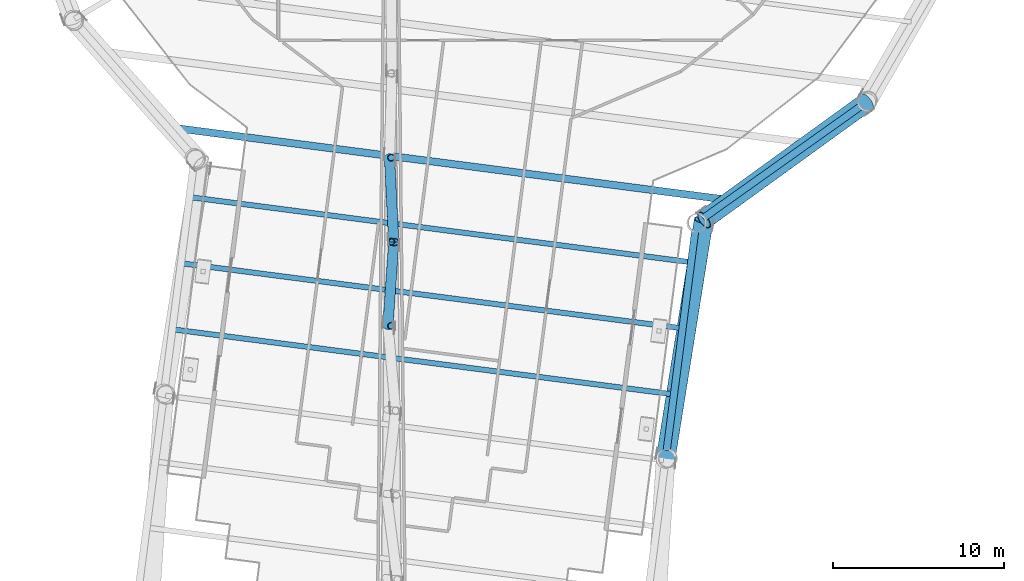
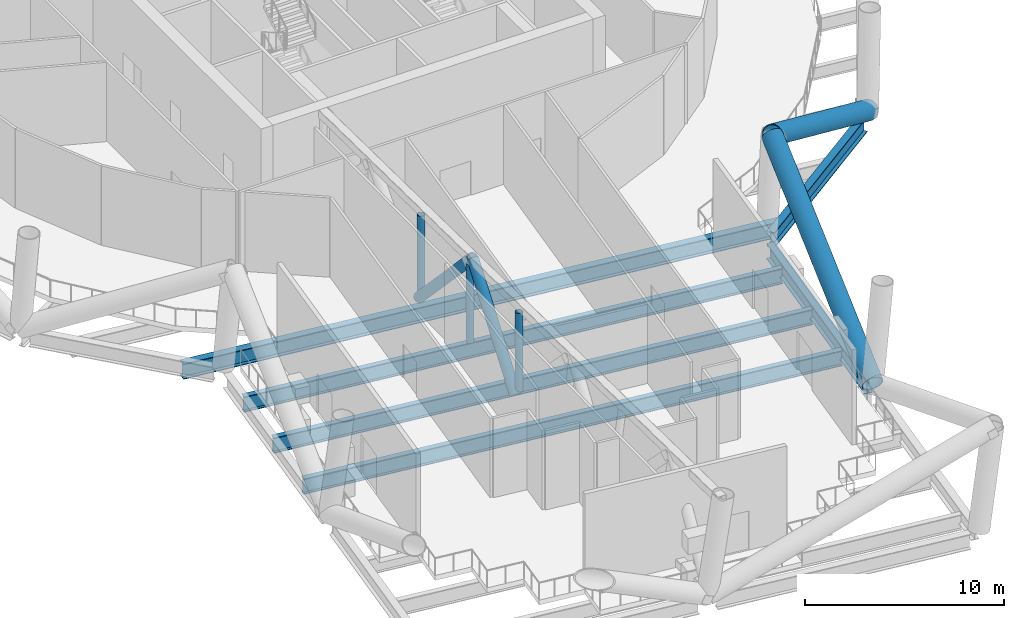
# One storey, part 2 of 36: 7 members, 6 beams.
"""IFC4 building model written with IfcOpenShell, lengths in metres."""

from ifc_helpers import new_model, si_unit, direction, frame, origin, origin_2d, place, context, subcontext, project, spatial, hollow_circle, i_section, extrude, material, material_profile, profile_set, type_object, element, save


model = new_model("IFC4")

# Units and contexts
model_context = context("Model", 3, precision=1e-05, world=origin(), true_north=direction((0.0, 1.0)))
body_context = subcontext(model_context, "Body", "Model", "MODEL_VIEW")
ifc_project = project(units=[si_unit("LENGTHUNIT", "METRE"), si_unit("AREAUNIT", "SQUARE_METRE"), si_unit("VOLUMEUNIT", "CUBIC_METRE"), si_unit("PLANEANGLEUNIT", "RADIAN"), si_unit("MASSUNIT", "GRAM", prefix="KILO")], contexts=[model_context])

# Site, building, storey
site_placement = place(None, origin())
site = spatial("IfcSite", under=ifc_project, at=site_placement, CompositionType="ELEMENT")
building_placement = place(site_placement, origin())
building = spatial("IfcBuilding", under=site, at=building_placement, Name="Tarsis Ring Headquarters", CompositionType="ELEMENT")
storey_placement = place(building_placement, frame((0.0, 0.0, 194.39990234375)))
storey = spatial("IfcBuildingStorey", under=building, at=storey_placement, Name="L45", CompositionType="ELEMENT", Elevation=194.39990234375)

# Beams
ifc_material = material(Name="Structural steel S355", Category="steel")
ifc_material_profile_1 = material_profile(ifc_material, i_section(OverallWidth=0.309814453125, OverallDepth=0.949951171875, WebThickness=0.0244140625, FlangeThickness=0.0439453125, at=origin_2d()), Name="W36x256")
ifc_profile_set_1 = profile_set([ifc_material_profile_1], Name="Structural steel S355")
beam_type_1 = type_object("IfcBeamType", Name="FB Floor beam W36x256", PredefinedType="JOIST", material=ifc_profile_set_1)
beam_1_placement = place(storey_placement, frame((-18.081787109375, -25.180908203125, -0.77490234375), z_axis=(0.991671398054, -0.128793781999, 0.0), x_axis=(0.128793781999, 0.991671398054, 0.0)))
element("IfcBeam", 1, at=beam_1_placement, inside=storey, type_object=beam_type_1, Name="Floor beam FB11", PredefinedType="JOIST", context=body_context, shape_type="SweptSolid", body=[
    extrude(i_section(OverallWidth=0.309814453125, OverallDepth=0.949951171875, WebThickness=0.0244140625, FlangeThickness=0.0439453125, at=origin_2d()), origin(), (0.0, 0.0, 1.0), 29.3759765625),
])
for number, where, z_axis, x_axis, name in (
    (2, (-18.583984375, -29.04833984375, -0.77490234375), (0.991671260193, -0.128794843483, 0.0), (0.128794843483, 0.991671260193, 0.0), "Floor beam FB11"),
    (3, (-19.086181640625, -32.916015625, -0.77490234375), (0.991671260193, -0.128794843483, 0.0), (0.128794843483, 0.991671260193, 0.0), "Floor beam FB11"),
):
    element("IfcBeam", number, at=place(storey_placement, frame(where, z_axis=z_axis, x_axis=x_axis)), inside=storey, type_object=beam_type_1, Name=name, PredefinedType="JOIST", context=body_context, shape_type="SweptSolid", body=[
        extrude(i_section(OverallWidth=0.309814453125, OverallDepth=0.949951171875, WebThickness=0.0244140625, FlangeThickness=0.0439453125, at=origin_2d()), origin(), (0.0, 0.0, 1.0), 29.375732421875),
    ])
ifc_material_profile_2 = material_profile(ifc_material, i_section(OverallWidth=0.42431640625, OverallDepth=0.947509765625, WebThickness=0.02392578125, FlangeThickness=0.042724609375, at=origin_2d()), Name="W36x302")
ifc_profile_set_2 = profile_set([ifc_material_profile_2], Name="Structural steel S355")
beam_type_2 = type_object("IfcBeamType", Name="FB Floor beam W36x302", PredefinedType="JOIST", material=ifc_profile_set_2)
beam_2_placement = place(storey_placement, frame((-19.271240234375, -21.09375, -0.773681640625), z_axis=(0.991671442041, -0.128793443309, 0.0), x_axis=(0.128793443309, 0.991671442041, 0.0)))
element("IfcBeam", 4, at=beam_2_placement, inside=storey, type_object=beam_type_2, Name="Floor beam FB12", PredefinedType="JOIST", context=body_context, shape_type="SweptSolid", body=[
    extrude(i_section(OverallWidth=0.42431640625, OverallDepth=0.947509765625, WebThickness=0.02392578125, FlangeThickness=0.042724609375, at=origin_2d()), origin(), (0.0, 0.0, 1.0), 32.704833984375),
])

# Members
ifc_material_profile_3 = material_profile(ifc_material, hollow_circle(Radius=0.3046875, WallThickness=0.02490234375, at=origin_2d()), Name="CHS 610x25")
ifc_profile_set_3 = profile_set([ifc_material_profile_3], Name="Structural steel S355")
member_type_1 = type_object("IfcMemberType", Name="OD Outrigger diagonal CHS 610x25", PredefinedType="BRACE", material=ifc_profile_set_3)
member_1_placement = place(storey_placement, frame((-6.49072265625, -22.84130859375, 0.254150390625), z_axis=(0.033920416362, -0.680419419118, 0.732037444016), x_axis=(0.998759689619, 0.049790384527, 0.0)))
element("IfcMember", 5, at=member_1_placement, inside=storey, type_object=member_type_1, Name="Outrigger diagonal OD1", PredefinedType="BRACE", context=body_context, shape_type="SweptSolid", body=[
    extrude(hollow_circle(Radius=0.3046875, WallThickness=0.02490234375, at=origin_2d()), origin(), (0.0, 0.0, 1.0), 7.283935546875),
])
member_2_placement = place(storey_placement, frame((-6.24365234375, -27.79736328125, 5.586181640625), z_axis=(-0.046674228836, -0.674786593051, -0.736535518628), x_axis=(0.997616383046, -0.069004001906, 0.0)))
element("IfcMember", 6, at=member_2_placement, inside=storey, type_object=member_type_1, Name="Outrigger diagonal OD1", PredefinedType="BRACE", context=body_context, shape_type="SweptSolid", body=[
    extrude(hollow_circle(Radius=0.3046875, WallThickness=0.02490234375, at=origin_2d()), origin(), (0.0, 0.0, 1.0), 7.2392578125),
])
ifc_material_profile_4 = material_profile(ifc_material, hollow_circle(Radius=0.203125, WallThickness=0.01611328125, at=origin_2d()), Name="CHS 406x16")
ifc_profile_set_4 = profile_set([ifc_material_profile_4], Name="Structural steel S355")
member_type_2 = type_object("IfcMemberType", Name="OV Outrigger post CHS 406x16", PredefinedType="STRUT", material=ifc_profile_set_4)
for number, where, z_axis, x_axis, name in (
    (7, (-6.393310546875, -22.85302734375, 0.508056640625), (0.0, 0.0, 1.0), (1.0, 0.0, 0.0), "Outrigger post OV1"),
    (8, (-6.389892578125, -27.779541015625, 0.508056640625), (0.0, 0.0, 1.0), (1.0, 0.0, 0.0), "Outrigger post OV1"),
    (9, (-6.386474609375, -32.7060546875, 0.508056640625), (0.0, 0.0, 1.0), (1.0, 0.0, 0.0), "Outrigger post OV1"),
):
    element("IfcMember", number, at=place(storey_placement, frame(where, z_axis=z_axis, x_axis=x_axis)), inside=storey, type_object=member_type_2, Name=name, PredefinedType="STRUT", context=body_context, shape_type="SweptSolid", body=[
        extrude(hollow_circle(Radius=0.203125, WallThickness=0.01611328125, at=origin_2d()), origin(), (0.0, 0.0, 1.0), 4.823974609375),
    ])
ifc_material_profile_5 = material_profile(ifc_material, hollow_circle(Radius=0.558837890625, WallThickness=0.044921875, at=origin_2d()), Name="CHS 1118x45")
ifc_profile_set_5 = profile_set([ifc_material_profile_5], Name="Structural steel S355")
member_type_3 = type_object("IfcMemberType", Name="TD Belt truss diagonal CHS 1118x45", PredefinedType="BRACE", material=ifc_profile_set_5)
member_3_placement = place(storey_placement, frame((9.6669921875, -40.47998046875, 0.0), z_axis=(0.145402302736, 0.909196995304, 0.390152526699), x_axis=(-0.987452356815, 0.157917203053, 0.0)))
element("IfcMember", 10, at=member_3_placement, inside=storey, type_object=member_type_3, Name="Belt truss diagonal TD4", PredefinedType="BRACE", context=body_context, shape_type="SweptSolid", body=[
    extrude(hollow_circle(Radius=0.558837890625, WallThickness=0.044921875, at=origin_2d()), origin(), (0.0, 0.0, 1.0), 15.378662109375),
])
member_4_placement = place(storey_placement, frame((21.441650390625, -19.59765625, 0.0), z_axis=(-0.721881307816, -0.52220454064, 0.454081264932), x_axis=(0.586114283123, -0.810228391948, 0.0)))
element("IfcMember", 11, at=member_4_placement, inside=storey, type_object=member_type_3, Name="Belt truss diagonal TD4", PredefinedType="BRACE", context=body_context, shape_type="SweptSolid", body=[
    extrude(hollow_circle(Radius=0.558837890625, WallThickness=0.044921875, at=origin_2d()), origin(), (0.0, 0.0, 1.0), 13.21337890625),
])

# Beams
beam_type_3 = type_object("IfcBeamType", Name="XG Ring girder W36x302", PredefinedType="BEAM", material=ifc_profile_set_2)
beam_3_placement = place(storey_placement, frame((9.731689453125, -39.981201171875, -0.4736328125), z_axis=(0.128786404984, 0.991672356119, 0.0), x_axis=(-0.991672356119, 0.128786404984, 0.0)))
element("IfcBeam", 12, at=beam_3_placement, inside=storey, type_object=beam_type_3, Name="Ring girder XG1", PredefinedType="BEAM", context=body_context, shape_type="SweptSolid", body=[
    extrude(i_section(OverallWidth=0.42431640625, OverallDepth=0.947509765625, WebThickness=0.02392578125, FlangeThickness=0.042724609375, at=origin_2d()), origin(), (0.0, 0.0, 1.0), 12.896484375),
])
beam_4_placement = place(storey_placement, frame((11.867431640625, -26.402099609375, -0.4736328125), z_axis=(0.815119155776, 0.579293329745, 0.0), x_axis=(-0.579293329745, 0.815119155776, 0.0)))
element("IfcBeam", 13, at=beam_4_placement, inside=storey, type_object=beam_type_3, Name="Ring girder XG1", PredefinedType="BEAM", context=body_context, shape_type="SweptSolid", body=[
    extrude(i_section(OverallWidth=0.42431640625, OverallDepth=0.947509765625, WebThickness=0.02392578125, FlangeThickness=0.042724609375, at=origin_2d()), origin(), (0.0, 0.0, 1.0), 11.242919921875),
])

save(model, "model.ifc")
